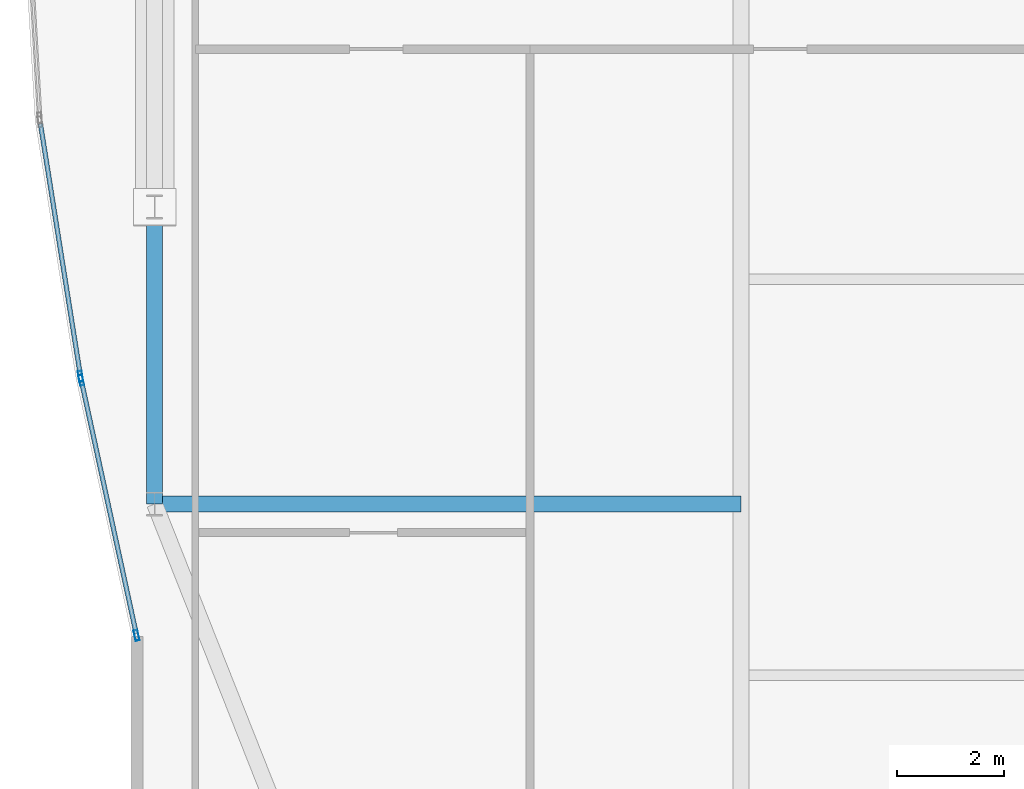
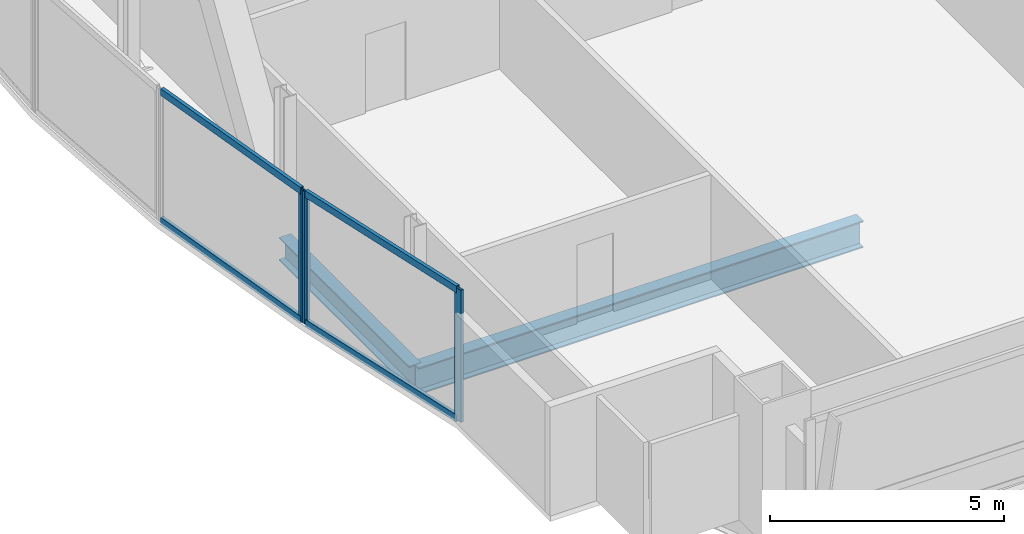
# One storey, part 6 of 33: 7 members, 2 beams, 2 elements without a shape of their own.
"""IFC4 building model written with IfcOpenShell, lengths in metres."""

from ifc_helpers import new_model, si_unit, direction, frame, origin, origin_2d, place, context, subcontext, project, spatial, hollow_rectangle, i_section, extrude, material, material_profile, profile_set, type_object, element, aggregate, save


model = new_model("IFC4")

# Units and contexts
model_context = context("Model", 3, precision=1e-05, world=origin(), true_north=direction((0.0, 1.0)))
body_context = subcontext(model_context, "Body", "Model", "MODEL_VIEW")
ifc_project = project(units=[si_unit("LENGTHUNIT", "METRE"), si_unit("AREAUNIT", "SQUARE_METRE"), si_unit("VOLUMEUNIT", "CUBIC_METRE"), si_unit("PLANEANGLEUNIT", "RADIAN"), si_unit("MASSUNIT", "GRAM", prefix="KILO")], contexts=[model_context])

# Site, building, storey
site_placement = place(None, origin())
site = spatial("IfcSite", under=ifc_project, at=site_placement, CompositionType="ELEMENT")
building_placement = place(site_placement, origin())
building = spatial("IfcBuilding", under=site, at=building_placement, Name="Khoronbel Lancet Exchange", CompositionType="ELEMENT")
storey_placement = place(building_placement, frame((0.0, 0.0, 210.199951171875)))
storey = spatial("IfcBuildingStorey", under=building, at=storey_placement, Name="L53", CompositionType="ELEMENT", Elevation=210.199951171875)

# Beams
ifc_material_1 = material(Name="Steel S355", Category="steel")
ifc_material_profile_1 = material_profile(ifc_material_1, i_section(OverallWidth=0.300048828125, OverallDepth=0.699951171875, WebThickness=0.01708984375, FlangeThickness=0.031982421875, at=origin_2d()), Name="HEB 700")
ifc_profile_set_1 = profile_set([ifc_material_profile_1], Name="Steel S355")
beam_type_1 = type_object("IfcBeamType", Name="BM-BG3", PredefinedType="BEAM", material=ifc_profile_set_1)
beam_1_placement = place(storey_placement, frame((7.27001953125, 19.199951171875, -0.510009765625), z_axis=(1.0, 0.0, 0.0), x_axis=(0.0, 1.0, 0.0)))
element("IfcBeam", 1, at=beam_1_placement, inside=storey, type_object=beam_type_1, Name="Level L53 west lens tie girder LG1W", PredefinedType="BEAM", context=body_context, shape_type="SweptSolid", body=[
    extrude(i_section(OverallWidth=0.300048828125, OverallDepth=0.699951171875, WebThickness=0.01708984375, FlangeThickness=0.031982421875, at=origin_2d()), origin(), (0.0, 0.0, 1.0), 10.955078125),
])
ifc_material_profile_2 = material_profile(ifc_material_1, i_section(OverallWidth=0.300048828125, OverallDepth=0.60009765625, WebThickness=0.015380859375, FlangeThickness=0.030029296875, at=origin_2d()), Name="HEB 600")
ifc_profile_set_2 = profile_set([ifc_material_profile_2], Name="Steel S355")
beam_type_2 = type_object("IfcBeamType", Name="BM-BSP2", PredefinedType="SPANDREL", material=ifc_profile_set_2)
beam_2_placement = place(storey_placement, frame((7.27001953125, 24.75, -0.4599609375), z_axis=(0.0, -1.0, 0.0), x_axis=(1.0, 0.0, 0.0)))
element("IfcBeam", 2, at=beam_2_placement, inside=storey, type_object=beam_type_2, Name="Level L53 perimeter spandrel beam SP20", PredefinedType="SPANDREL", context=body_context, shape_type="SweptSolid", body=[
    extrude(i_section(OverallWidth=0.300048828125, OverallDepth=0.60009765625, WebThickness=0.015380859375, FlangeThickness=0.030029296875, at=origin_2d()), origin(), (0.0, 0.0, 1.0), 5.550048828125),
])

# Curtain wall, members
ifc_material_2 = material(Name="Low-E Solar Control Insulating Glass", Category="glass")
curtain_wall_type = type_object("IfcCurtainWallType", Name="CW-4", PredefinedType="NOTDEFINED", material=ifc_material_2)
curtain_wall_1_placement = place(storey_placement, origin())
curtain_wall_1 = element("IfcCurtainWall", 3, at=curtain_wall_1_placement, inside=storey, type_object=curtain_wall_type, Name="Unitised curtain wall CW-L53-E04", PredefinedType="NOTDEFINED")
ifc_material_3 = material(Name="Bronze-Anodised Aluminium 6063-T6", Category="aluminium")
ifc_material_profile_3 = material_profile(ifc_material_3, hollow_rectangle(XDim=0.074951171875, YDim=0.199951171875, WallThickness=0.0048828125, at=origin_2d()), Name="ALU MULLION 75x200")
ifc_profile_set_3 = profile_set([ifc_material_profile_3], Name="Bronze-Anodised Aluminium 6063-T6")
member_type_1 = type_object("IfcMemberType", Name="MEM-CWM2", PredefinedType="MULLION", material=ifc_profile_set_3)
member_1_placement = place(storey_placement, frame((6.93212890625, 16.746337890625, 0.0), z_axis=(0.0, 0.0, 1.0), x_axis=(-0.977286842552, -0.211920804489, 0.0)))
member_1 = element("IfcMember", 4, at=member_1_placement, type_object=member_type_1, Name="CW4 mullion 1", PredefinedType="MULLION", context=body_context, shape_type="SweptSolid", body=[
    extrude(hollow_rectangle(XDim=0.074951171875, YDim=0.199951171875, WallThickness=0.0048828125, at=origin_2d()), origin(), (0.0, 0.0, 1.0), 3.43994140625),
])
member_2_placement = place(storey_placement, frame((5.8984375, 21.51318359375, 0.0), z_axis=(0.0, 0.0, 1.0), x_axis=(-0.977286842552, -0.211920804489, 0.0)))
member_2 = element("IfcMember", 5, at=member_2_placement, type_object=member_type_1, Name="CW4 mullion 2", PredefinedType="MULLION", context=body_context, shape_type="SweptSolid", body=[
    extrude(hollow_rectangle(XDim=0.074951171875, YDim=0.199951171875, WallThickness=0.0048828125, at=origin_2d()), origin(), (0.0, 0.0, 1.0), 3.43994140625),
])

# Curtain wall, member
curtain_wall_2_placement = place(storey_placement, origin())
curtain_wall_2 = element("IfcCurtainWall", 6, at=curtain_wall_2_placement, inside=storey, type_object=curtain_wall_type, Name="Unitised curtain wall CW-L53-E05", PredefinedType="NOTDEFINED")
member_3_placement = place(storey_placement, frame((5.884521484375, 21.5869140625, 0.0), z_axis=(0.0, 0.0, 1.0), x_axis=(-0.987632712105, -0.156785286236, 0.0)))
member_3 = element("IfcMember", 7, at=member_3_placement, type_object=member_type_1, Name="CW4 mullion 1", PredefinedType="MULLION", context=body_context, shape_type="SweptSolid", body=[
    extrude(hollow_rectangle(XDim=0.074951171875, YDim=0.199951171875, WallThickness=0.0048828125, at=origin_2d()), origin(), (0.0, 0.0, 1.0), 3.43994140625),
])

# Member
ifc_material_profile_4 = material_profile(ifc_material_3, hollow_rectangle(XDim=0.0849609375, YDim=0.179931640625, WallThickness=0.0048828125, at=origin_2d()), Name="ALU TRANSOM 85x180")
ifc_profile_set_4 = profile_set([ifc_material_profile_4], Name="Bronze-Anodised Aluminium 6063-T6")
member_type_2 = type_object("IfcMemberType", Name="MEM-CWT1", PredefinedType="USERDEFINED", material=ifc_profile_set_4)
member_4_placement = place(storey_placement, frame((6.924072265625, 16.782958984375, 0.04248046875), z_axis=(-0.21192733139, 0.977285427196, 0.0), x_axis=(-0.977285427196, -0.21192733139, 0.0)))
member_4 = element("IfcMember", 8, at=member_4_placement, type_object=member_type_2, Name="CW4 transom 1.1", ObjectType="TRANSOM", PredefinedType="USERDEFINED", context=body_context, shape_type="SweptSolid", body=[
    extrude(hollow_rectangle(XDim=0.0849609375, YDim=0.179931640625, WallThickness=0.0048828125, at=origin_2d()), origin(), (0.0, 0.0, 1.0), 4.802734375),
])

member_5_placement = place(storey_placement, frame((6.924072265625, 16.782958984375, 3.3974609375), z_axis=(-0.21192733139, 0.977285427196, 0.0), x_axis=(-0.977285427196, -0.21192733139, 0.0)))
member_5 = element("IfcMember", 9, at=member_5_placement, type_object=member_type_2, Name="CW4 transom 1.2", ObjectType="TRANSOM", PredefinedType="USERDEFINED", context=body_context, shape_type="SweptSolid", body=[
    extrude(hollow_rectangle(XDim=0.0849609375, YDim=0.179931640625, WallThickness=0.0048828125, at=origin_2d()), origin(), (0.0, 0.0, 1.0), 4.802734375),
])

aggregate(curtain_wall_1, [member_1, member_2, member_4, member_5])

member_6_placement = place(storey_placement, frame((5.878662109375, 21.6240234375, 0.04248046875), z_axis=(-0.156788292376, 0.98763223488, 0.0), x_axis=(-0.98763223488, -0.156788292376, 0.0)))
member_6 = element("IfcMember", 10, at=member_6_placement, type_object=member_type_2, Name="CW4 transom 1.1", ObjectType="TRANSOM", PredefinedType="USERDEFINED", context=body_context, shape_type="SweptSolid", body=[
    extrude(hollow_rectangle(XDim=0.0849609375, YDim=0.179931640625, WallThickness=0.0048828125, at=origin_2d()), origin(), (0.0, 0.0, 1.0), 4.73681640625),
])

member_7_placement = place(storey_placement, frame((5.878662109375, 21.6240234375, 3.3974609375), z_axis=(-0.156788292376, 0.98763223488, 0.0), x_axis=(-0.98763223488, -0.156788292376, 0.0)))
member_7 = element("IfcMember", 11, at=member_7_placement, type_object=member_type_2, Name="CW4 transom 1.2", ObjectType="TRANSOM", PredefinedType="USERDEFINED", context=body_context, shape_type="SweptSolid", body=[
    extrude(hollow_rectangle(XDim=0.0849609375, YDim=0.179931640625, WallThickness=0.0048828125, at=origin_2d()), origin(), (0.0, 0.0, 1.0), 4.73681640625),
])

aggregate(curtain_wall_2, [member_3, member_6, member_7])

save(model, "model.ifc")
